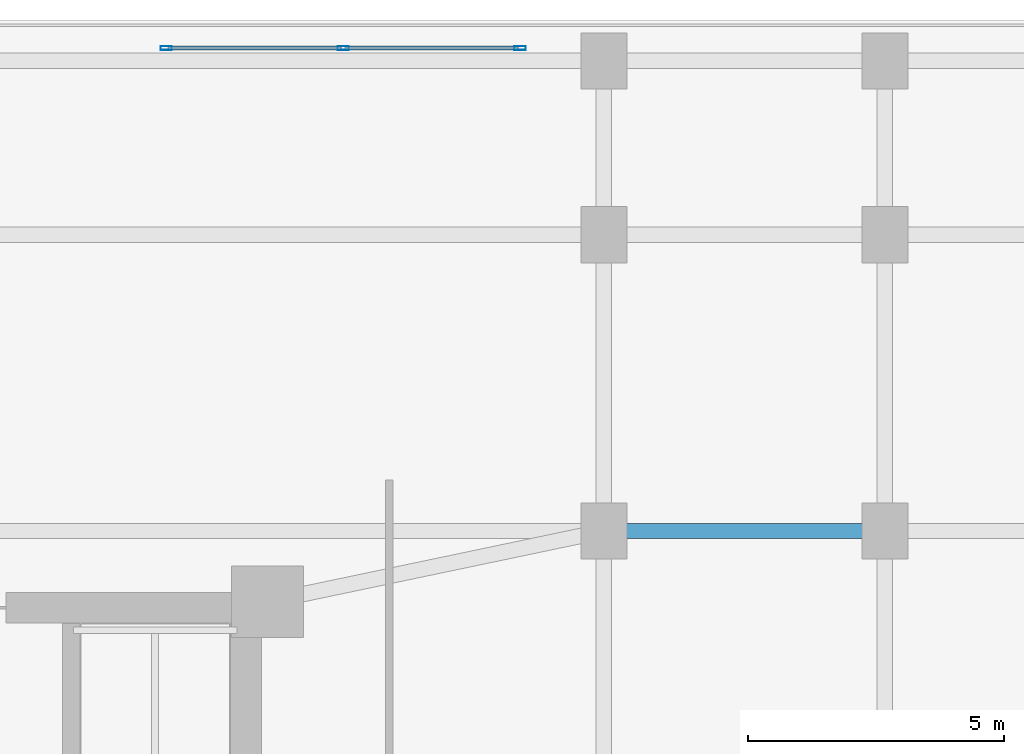
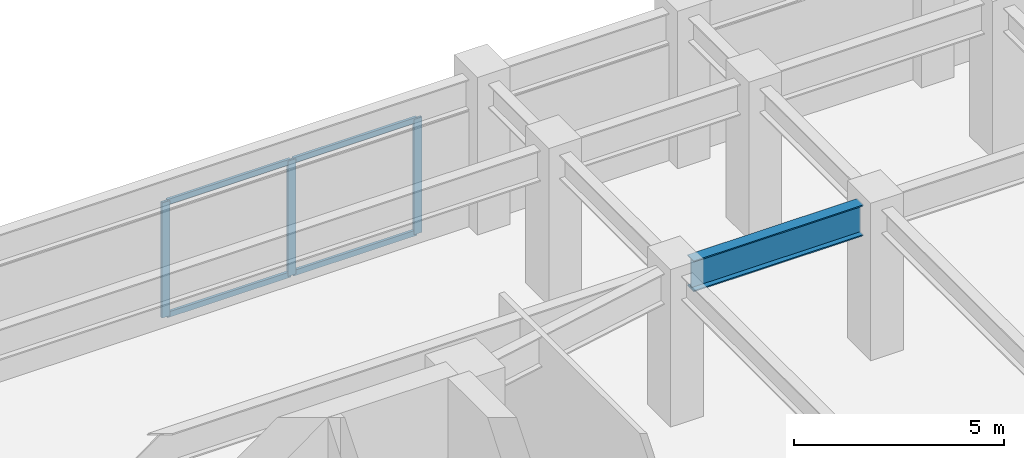
# One storey, part 5 of 12: 7 members, 1 beam, 1 element without a shape of its own.
"""IFC4 building model written with IfcOpenShell, lengths in metres."""

from ifc_helpers import new_model, si_unit, direction, frame, origin, origin_2d, place, context, subcontext, project, spatial, hollow_rectangle, i_section, extrude, material, layer, layer_set, material_profile, profile_set, type_object, element, aggregate, save


model = new_model("IFC4")

# Units and contexts
model_context = context("Model", 3, precision=1e-05, world=origin(), true_north=direction((0.0, 1.0)))
body_context = subcontext(model_context, "Body", "Model", "MODEL_VIEW")
ifc_project = project(units=[si_unit("LENGTHUNIT", "METRE"), si_unit("AREAUNIT", "SQUARE_METRE"), si_unit("VOLUMEUNIT", "CUBIC_METRE"), si_unit("PLANEANGLEUNIT", "RADIAN"), si_unit("MASSUNIT", "GRAM", prefix="KILO")], contexts=[model_context])

# Site, building, storey
site_placement = place(None, origin())
site = spatial("IfcSite", under=ifc_project, at=site_placement, CompositionType="ELEMENT")
building_placement = place(site_placement, origin())
building = spatial("IfcBuilding", under=site, at=building_placement, Name="Varnakorn Sky Granary", CompositionType="ELEMENT")
storey_placement = place(building_placement, frame((0.0, 0.0, 4.60009765625)))
storey = spatial("IfcBuildingStorey", under=building, at=storey_placement, Name="L01", CompositionType="ELEMENT", Elevation=4.60009765625)

# Beam
ifc_material_1 = material(Name="Steel S355JR", Category="steel")
ifc_material_profile_1 = material_profile(ifc_material_1, i_section(OverallWidth=0.300048828125, OverallDepth=0.89990234375, WebThickness=0.0185546875, FlangeThickness=0.034912109375, at=origin_2d()), Name="HE 900 B")
ifc_profile_set_1 = profile_set([ifc_material_profile_1], Name="Steel S355JR")
beam_type = type_object("IfcBeamType", Name="BM-PG-900", PredefinedType="BEAM", material=ifc_profile_set_1)
beam_placement = place(storey_placement, frame((15.419921875, 14.0, 3.829833984375), z_axis=(1.0, 0.0, 0.0), x_axis=(0.0, 1.0, 0.0)))
element("IfcBeam", 1, at=beam_placement, inside=storey, type_object=beam_type, Name="Podium X-Girder GX23 L01", PredefinedType="BEAM", context=body_context, shape_type="SweptSolid", body=[
    extrude(i_section(OverallWidth=0.300048828125, OverallDepth=0.89990234375, WebThickness=0.0185546875, FlangeThickness=0.034912109375, at=origin_2d()), origin(), (0.0, 0.0, 1.0), 4.66015625),
])

# Curtain wall, members
ifc_material_2 = material(Name="Anodised Bronze Aluminium Alloy 6063-T6", Category="aluminium")
ifc_layer = layer(ifc_material_2, 0.219970703125, Name="Anodised Bronze Aluminium Alloy 6063-T6")
ifc_layer_set = layer_set([ifc_layer], Name="Anodised Bronze Aluminium Alloy 6063-T6")
curtain_wall_type = type_object("IfcCurtainWallType", Name="CW-POD-1", PredefinedType="USERDEFINED", material=ifc_layer_set)
curtain_wall_placement = place(storey_placement, origin())
curtain_wall = element("IfcCurtainWall", 2, at=curtain_wall_placement, inside=storey, type_object=curtain_wall_type, Name="Unitised Curtain Wall CW1 CW-L01-P2", ObjectType="CURTAIN WALL", PredefinedType="USERDEFINED")
ifc_material_profile_2 = material_profile(ifc_material_2, hollow_rectangle(XDim=0.074951171875, YDim=0.219970703125, WallThickness=0.00390625, at=origin_2d()), Name="ALU MULL 75x220")
ifc_profile_set_2 = profile_set([ifc_material_profile_2], Name="Anodised Bronze Aluminium Alloy 6063-T6")
member_type_1 = type_object("IfcMemberType", Name="CW-POD-1-MULL", PredefinedType="MULLION", material=ifc_profile_set_2)
member_1_placement = place(storey_placement, frame((6.4375, 23.449951171875, 0.0), z_axis=(0.0, 0.0, 1.0), x_axis=(0.0, 1.0, 0.0)))
member_1 = element("IfcMember", 3, at=member_1_placement, type_object=member_type_1, Name="CW1 mullion 1", PredefinedType="MULLION", context=body_context, shape_type="SweptSolid", body=[
    extrude(hollow_rectangle(XDim=0.074951171875, YDim=0.219970703125, WallThickness=0.00390625, at=origin_2d()), origin(), (0.0, 0.0, 1.0), 3.349853515625),
])
member_2_placement = place(storey_placement, frame((9.89990234375, 23.449951171875, 0.0), z_axis=(0.0, 0.0, 1.0), x_axis=(0.0, 1.0, 0.0)))
member_2 = element("IfcMember", 4, at=member_2_placement, type_object=member_type_1, Name="CW1 mullion 2", PredefinedType="MULLION", context=body_context, shape_type="SweptSolid", body=[
    extrude(hollow_rectangle(XDim=0.074951171875, YDim=0.219970703125, WallThickness=0.00390625, at=origin_2d()), origin(), (0.0, 0.0, 1.0), 3.349853515625),
])
member_3_placement = place(storey_placement, frame((13.362548828125, 23.449951171875, 0.0), z_axis=(0.0, 0.0, 1.0), x_axis=(0.0, 1.0, 0.0)))
member_3 = element("IfcMember", 5, at=member_3_placement, type_object=member_type_1, Name="CW1 mullion 3", PredefinedType="MULLION", context=body_context, shape_type="SweptSolid", body=[
    extrude(hollow_rectangle(XDim=0.074951171875, YDim=0.219970703125, WallThickness=0.00390625, at=origin_2d()), origin(), (0.0, 0.0, 1.0), 3.349853515625),
])
ifc_material_profile_3 = material_profile(ifc_material_2, hollow_rectangle(XDim=0.074951171875, YDim=0.159912109375, WallThickness=0.00390625, at=origin_2d()), Name="ALU TRAN 75x160")
ifc_profile_set_3 = profile_set([ifc_material_profile_3], Name="Anodised Bronze Aluminium Alloy 6063-T6")
member_type_2 = type_object("IfcMemberType", Name="CW-POD-1-TRAN", PredefinedType="USERDEFINED", material=ifc_profile_set_3)
member_4_placement = place(storey_placement, frame((6.47509765625, 23.449951171875, 0.037353515625), z_axis=(1.0, 0.0, 0.0), x_axis=(0.0, 1.0, 0.0)))
member_4 = element("IfcMember", 6, at=member_4_placement, type_object=member_type_2, Name="CW1 transom 1.1", ObjectType="TRANSOM", PredefinedType="USERDEFINED", context=body_context, shape_type="SweptSolid", body=[
    extrude(hollow_rectangle(XDim=0.074951171875, YDim=0.159912109375, WallThickness=0.00390625, at=origin_2d()), origin(), (0.0, 0.0, 1.0), 3.387451171875),
])
member_5_placement = place(storey_placement, frame((6.47509765625, 23.449951171875, 3.3125), z_axis=(1.0, 0.0, 0.0), x_axis=(0.0, 1.0, 0.0)))
member_5 = element("IfcMember", 7, at=member_5_placement, type_object=member_type_2, Name="CW1 transom 1.2", ObjectType="TRANSOM", PredefinedType="USERDEFINED", context=body_context, shape_type="SweptSolid", body=[
    extrude(hollow_rectangle(XDim=0.074951171875, YDim=0.159912109375, WallThickness=0.00390625, at=origin_2d()), origin(), (0.0, 0.0, 1.0), 3.387451171875),
])
member_6_placement = place(storey_placement, frame((9.9375, 23.449951171875, 0.037353515625), z_axis=(1.0, 0.0, 0.0), x_axis=(0.0, 1.0, 0.0)))
member_6 = element("IfcMember", 8, at=member_6_placement, type_object=member_type_2, Name="CW1 transom 2.1", ObjectType="TRANSOM", PredefinedType="USERDEFINED", context=body_context, shape_type="SweptSolid", body=[
    extrude(hollow_rectangle(XDim=0.074951171875, YDim=0.159912109375, WallThickness=0.00390625, at=origin_2d()), origin(), (0.0, 0.0, 1.0), 3.387451171875),
])
member_7_placement = place(storey_placement, frame((9.9375, 23.449951171875, 3.3125), z_axis=(1.0, 0.0, 0.0), x_axis=(0.0, 1.0, 0.0)))
member_7 = element("IfcMember", 9, at=member_7_placement, type_object=member_type_2, Name="CW1 transom 2.2", ObjectType="TRANSOM", PredefinedType="USERDEFINED", context=body_context, shape_type="SweptSolid", body=[
    extrude(hollow_rectangle(XDim=0.074951171875, YDim=0.159912109375, WallThickness=0.00390625, at=origin_2d()), origin(), (0.0, 0.0, 1.0), 3.387451171875),
])
aggregate(curtain_wall, [member_1, member_2, member_3, member_4, member_5, member_6, member_7])

save(model, "model.ifc")
